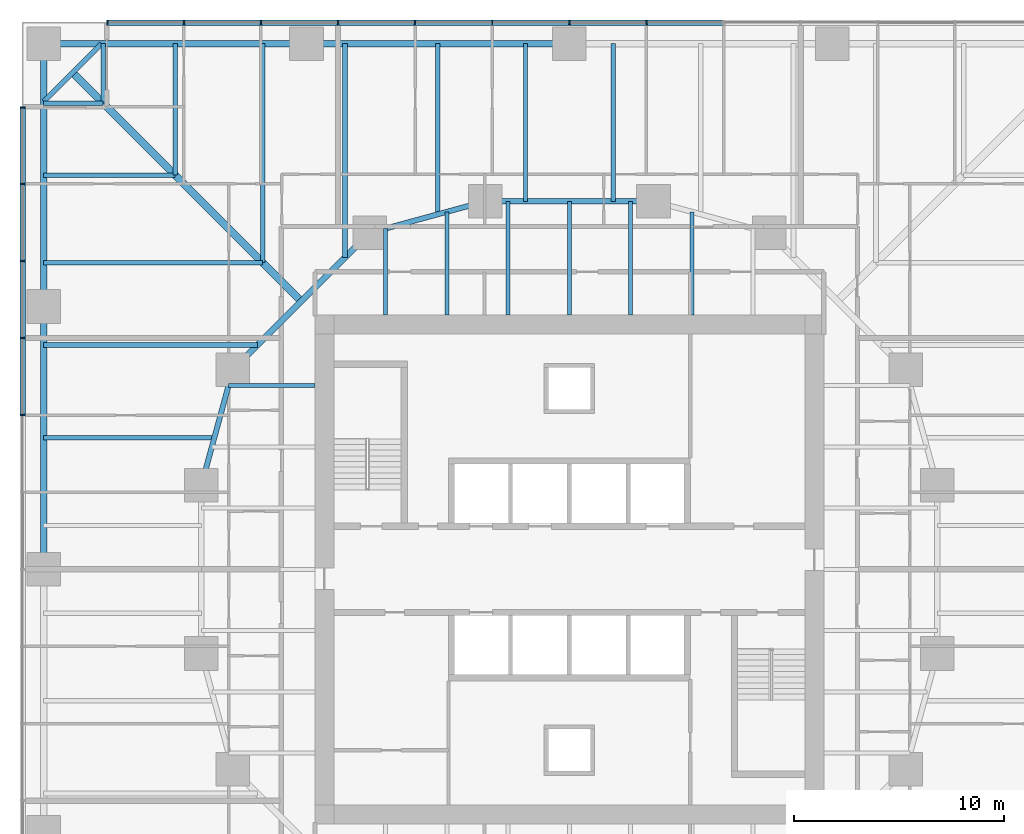
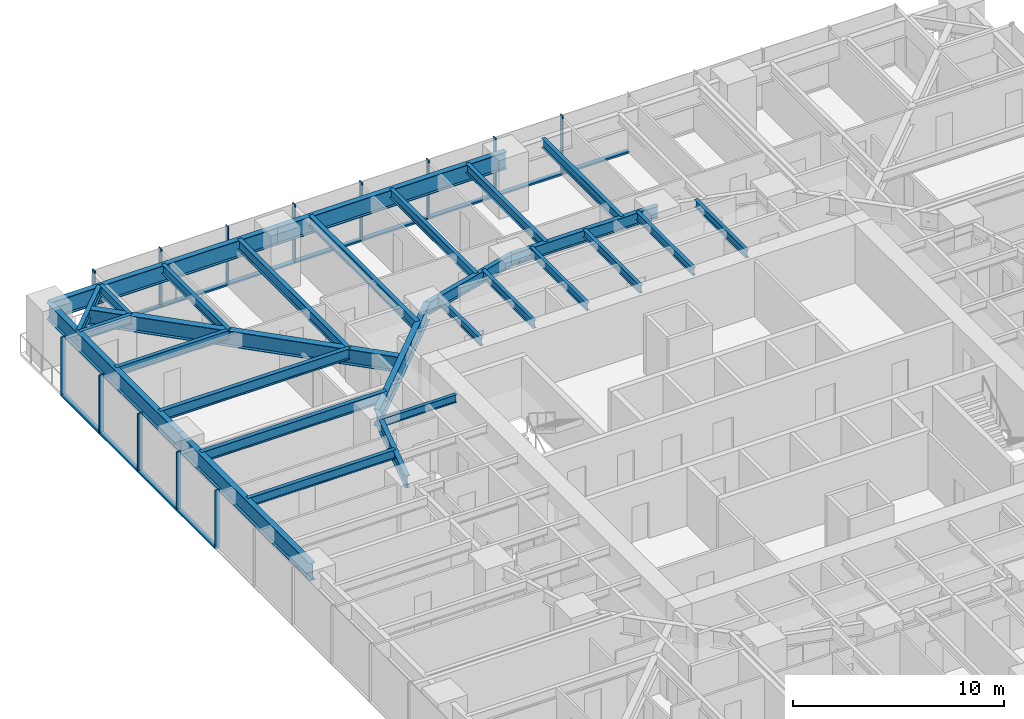
# One storey, part 5 of 14: 29 beams, 25 members, 2 elements without a shape of their own.
"""IFC4 building model written with IfcOpenShell, lengths in metres."""

from ifc_helpers import new_model, si_unit, direction, frame, origin, origin_2d, place, context, subcontext, project, spatial, rectangle, i_section, extrude, material, material_profile, profile_set, type_object, element, aggregate, save


model = new_model("IFC4")

# Units and contexts
model_context = context("Model", 3, precision=1e-05, world=origin(), true_north=direction((0.0, 1.0)))
body_context = subcontext(model_context, "Body", "Model", "MODEL_VIEW")
ifc_project = project(units=[si_unit("LENGTHUNIT", "METRE"), si_unit("AREAUNIT", "SQUARE_METRE"), si_unit("VOLUMEUNIT", "CUBIC_METRE"), si_unit("PLANEANGLEUNIT", "RADIAN"), si_unit("MASSUNIT", "GRAM", prefix="KILO")], contexts=[model_context])

# Site, building, storey
site_placement = place(None, origin())
site = spatial("IfcSite", under=ifc_project, at=site_placement, CompositionType="ELEMENT")
building_placement = place(site_placement, origin())
building = spatial("IfcBuilding", under=site, at=building_placement, Name="Torsade Residences", CompositionType="ELEMENT")
storey_placement = place(building_placement, frame((0.0, 0.0, 32.0)))
storey = spatial("IfcBuildingStorey", under=building, at=storey_placement, Name="L08", CompositionType="ELEMENT", Elevation=32.0)

# Beams
ifc_material_1 = material(Name="Steel grade 300", Category="steel")
ifc_material_profile_1 = material_profile(ifc_material_1, i_section(OverallWidth=0.35009765625, OverallDepth=0.909912109375, WebThickness=0.011962890625, FlangeThickness=0.02490234375, at=origin_2d()), Name="900WB218")
ifc_profile_set_1 = profile_set([ifc_material_profile_1], Name="Steel grade 300")
beam_type_1 = type_object("IfcBeamType", Name="CORNER GIRDER 900WB218", PredefinedType="BEAM", material=ifc_profile_set_1)
beam_1_placement = place(storey_placement, frame((16.375, 53.625, 2.794921875), z_axis=(0.707106781187, -0.707106781187, 0.0), x_axis=(0.707106781187, 0.707106781187, 0.0)))
element("IfcBeam", 1, at=beam_1_placement, inside=storey, type_object=beam_type_1, Name="Corner girder 13 L09", PredefinedType="BEAM", context=body_context, shape_type="SweptSolid", body=[
    extrude(i_section(OverallWidth=0.35009765625, OverallDepth=0.909912109375, WebThickness=0.011962890625, FlangeThickness=0.02490234375, at=origin_2d()), origin(), (0.0, 0.0, 1.0), 15.379638671875),
])
ifc_material_2 = material(Name="Steel grade 300", Category="steel")
ifc_material_profile_2 = material_profile(ifc_material_2, i_section(OverallWidth=0.22802734375, OverallDepth=0.60205078125, WebThickness=0.010498046875, FlangeThickness=0.014892578125, FilletRadius=0.013916015625, at=origin_2d()), Name="610UB101")
ifc_profile_set_2 = profile_set([ifc_material_profile_2], Name="Steel grade 300")
beam_type_2 = type_object("IfcBeamType", Name="CORNER TRIMMER 610UB101", PredefinedType="BEAM", material=ifc_profile_set_2)
beam_2_placement = place(storey_placement, frame((15.0, 52.25, 2.948974609375), z_axis=(0.707106781187, 0.707106781187, 0.0), x_axis=(-0.707106781187, 0.707106781187, 0.0)))
element("IfcBeam", 2, at=beam_2_placement, inside=storey, type_object=beam_type_2, Name="Corner trimmer 13 L09", PredefinedType="BEAM", context=body_context, shape_type="SweptSolid", body=[
    extrude(i_section(OverallWidth=0.22802734375, OverallDepth=0.60205078125, WebThickness=0.010498046875, FlangeThickness=0.014892578125, FilletRadius=0.013916015625, at=origin_2d()), origin(), (0.0, 0.0, 1.0), 3.88916015625),
])

# Curtain wall, members
ifc_material_3 = material(Name="Aluminium and glass", Category="aluminium")
curtain_wall_type = type_object("IfcCurtainWallType", Name="FRITTED GLASS CURTAIN WALL LOW ZONE", PredefinedType="NOTDEFINED", material=ifc_material_3)
curtain_wall_1_placement = place(storey_placement, origin())
curtain_wall_1 = element("IfcCurtainWall", 3, at=curtain_wall_1_placement, inside=storey, type_object=curtain_wall_type, Name="Curtain wall L08 face 7", PredefinedType="NOTDEFINED")
ifc_material_4 = material(Name="Aluminium mullion", Category="aluminium")
ifc_material_profile_3 = material_profile(ifc_material_4, rectangle(XDim=0.25, YDim=0.06494140625, at=origin_2d()), Name="CURTAIN WALL MULLION 250x65")
ifc_profile_set_3 = profile_set([ifc_material_profile_3], Name="Aluminium mullion")
member_type_1 = type_object("IfcMemberType", Name="CURTAIN WALL MULLION 250x65", PredefinedType="MULLION", material=ifc_profile_set_3)
member_1_placement = place(storey_placement, frame((43.666748046875, 56.0, 0.0), z_axis=(0.0, 0.0, 1.0), x_axis=(0.0, -1.0, 0.0)))
member_1 = element("IfcMember", 4, at=member_1_placement, type_object=member_type_1, Name="Mullion 6", PredefinedType="MULLION", context=body_context, shape_type="SweptSolid", body=[
    extrude(rectangle(XDim=0.25, YDim=0.06494140625, at=origin_2d()), origin(), (0.0, 0.0, 1.0), 3.39990234375),
])
member_2_placement = place(storey_placement, frame((40.0, 56.0, 0.0), z_axis=(0.0, 0.0, 1.0), x_axis=(0.0, -1.0, 0.0)))
member_2 = element("IfcMember", 5, at=member_2_placement, type_object=member_type_1, Name="Mullion 7", PredefinedType="MULLION", context=body_context, shape_type="SweptSolid", body=[
    extrude(rectangle(XDim=0.25, YDim=0.06494140625, at=origin_2d()), origin(), (0.0, 0.0, 1.0), 3.39990234375),
])
member_3_placement = place(storey_placement, frame((36.333251953125, 56.0, 0.0), z_axis=(0.0, 0.0, 1.0), x_axis=(0.0, -1.0, 0.0)))
member_3 = element("IfcMember", 6, at=member_3_placement, type_object=member_type_1, Name="Mullion 8", PredefinedType="MULLION", context=body_context, shape_type="SweptSolid", body=[
    extrude(rectangle(XDim=0.25, YDim=0.06494140625, at=origin_2d()), origin(), (0.0, 0.0, 1.0), 3.39990234375),
])
member_4_placement = place(storey_placement, frame((32.666748046875, 56.0, 0.0), z_axis=(0.0, 0.0, 1.0), x_axis=(0.0, -1.0, 0.0)))
member_4 = element("IfcMember", 7, at=member_4_placement, type_object=member_type_1, Name="Mullion 9", PredefinedType="MULLION", context=body_context, shape_type="SweptSolid", body=[
    extrude(rectangle(XDim=0.25, YDim=0.06494140625, at=origin_2d()), origin(), (0.0, 0.0, 1.0), 3.39990234375),
])
member_5_placement = place(storey_placement, frame((29.0, 56.0, 0.0), z_axis=(0.0, 0.0, 1.0), x_axis=(0.0, -1.0, 0.0)))
member_5 = element("IfcMember", 8, at=member_5_placement, type_object=member_type_1, Name="Mullion 10", PredefinedType="MULLION", context=body_context, shape_type="SweptSolid", body=[
    extrude(rectangle(XDim=0.25, YDim=0.06494140625, at=origin_2d()), origin(), (0.0, 0.0, 1.0), 3.39990234375),
])
member_6_placement = place(storey_placement, frame((25.333251953125, 56.0, 0.0), z_axis=(0.0, 0.0, 1.0), x_axis=(0.0, -1.0, 0.0)))
member_6 = element("IfcMember", 9, at=member_6_placement, type_object=member_type_1, Name="Mullion 11", PredefinedType="MULLION", context=body_context, shape_type="SweptSolid", body=[
    extrude(rectangle(XDim=0.25, YDim=0.06494140625, at=origin_2d()), origin(), (0.0, 0.0, 1.0), 3.39990234375),
])
member_7_placement = place(storey_placement, frame((21.666748046875, 56.0, 0.0), z_axis=(0.0, 0.0, 1.0), x_axis=(0.0, -1.0, 0.0)))
member_7 = element("IfcMember", 10, at=member_7_placement, type_object=member_type_1, Name="Mullion 12", PredefinedType="MULLION", context=body_context, shape_type="SweptSolid", body=[
    extrude(rectangle(XDim=0.25, YDim=0.06494140625, at=origin_2d()), origin(), (0.0, 0.0, 1.0), 3.39990234375),
])
member_8_placement = place(storey_placement, frame((18.032470703125, 56.0, 0.0), z_axis=(0.0, 0.0, 1.0), x_axis=(0.0, -1.0, 0.0)))
member_8 = element("IfcMember", 11, at=member_8_placement, type_object=member_type_1, Name="Mullion 13", PredefinedType="MULLION", context=body_context, shape_type="SweptSolid", body=[
    extrude(rectangle(XDim=0.25, YDim=0.06494140625, at=origin_2d()), origin(), (0.0, 0.0, 1.0), 3.39990234375),
])

curtain_wall_2_placement = place(storey_placement, origin())
curtain_wall_2 = element("IfcCurtainWall", 12, at=curtain_wall_2_placement, inside=storey, type_object=curtain_wall_type, Name="Curtain wall L08 face 10", PredefinedType="NOTDEFINED")
member_9_placement = place(storey_placement, frame((14.0, 51.967529296875, 0.0), z_axis=(0.0, 0.0, 1.0), x_axis=(1.0, 0.0, 0.0)))
member_9 = element("IfcMember", 13, at=member_9_placement, type_object=member_type_1, Name="Mullion 1", PredefinedType="MULLION", context=body_context, shape_type="SweptSolid", body=[
    extrude(rectangle(XDim=0.25, YDim=0.06494140625, at=origin_2d()), origin(), (0.0, 0.0, 1.0), 3.39990234375),
])
member_10_placement = place(storey_placement, frame((14.0, 48.333251953125, 0.0), z_axis=(0.0, 0.0, 1.0), x_axis=(1.0, 0.0, 0.0)))
member_10 = element("IfcMember", 14, at=member_10_placement, type_object=member_type_1, Name="Mullion 2", PredefinedType="MULLION", context=body_context, shape_type="SweptSolid", body=[
    extrude(rectangle(XDim=0.25, YDim=0.06494140625, at=origin_2d()), origin(), (0.0, 0.0, 1.0), 3.39990234375),
])
member_11_placement = place(storey_placement, frame((14.0, 44.666748046875, 0.0), z_axis=(0.0, 0.0, 1.0), x_axis=(1.0, 0.0, 0.0)))
member_11 = element("IfcMember", 15, at=member_11_placement, type_object=member_type_1, Name="Mullion 3", PredefinedType="MULLION", context=body_context, shape_type="SweptSolid", body=[
    extrude(rectangle(XDim=0.25, YDim=0.06494140625, at=origin_2d()), origin(), (0.0, 0.0, 1.0), 3.39990234375),
])
member_12_placement = place(storey_placement, frame((14.0, 41.0, 0.0), z_axis=(0.0, 0.0, 1.0), x_axis=(1.0, 0.0, 0.0)))
member_12 = element("IfcMember", 16, at=member_12_placement, type_object=member_type_1, Name="Mullion 4", PredefinedType="MULLION", context=body_context, shape_type="SweptSolid", body=[
    extrude(rectangle(XDim=0.25, YDim=0.06494140625, at=origin_2d()), origin(), (0.0, 0.0, 1.0), 3.39990234375),
])
member_13_placement = place(storey_placement, frame((14.0, 37.333251953125, 0.0), z_axis=(0.0, 0.0, 1.0), x_axis=(1.0, 0.0, 0.0)))
member_13 = element("IfcMember", 17, at=member_13_placement, type_object=member_type_1, Name="Mullion 5", PredefinedType="MULLION", context=body_context, shape_type="SweptSolid", body=[
    extrude(rectangle(XDim=0.25, YDim=0.06494140625, at=origin_2d()), origin(), (0.0, 0.0, 1.0), 3.39990234375),
])

# Member
ifc_material_5 = material(Name="Aluminium transom", Category="aluminium")
ifc_material_profile_4 = material_profile(ifc_material_5, rectangle(XDim=0.25, YDim=0.10009765625, at=origin_2d()), Name="CURTAIN WALL TRANSOM 250x100")
ifc_profile_set_4 = profile_set([ifc_material_profile_4], Name="Aluminium transom")
member_type_2 = type_object("IfcMemberType", Name="CURTAIN WALL TRANSOM 250x100", PredefinedType="USERDEFINED", material=ifc_profile_set_4)
member_14_placement = place(storey_placement, frame((47.30078125, 56.0, 0.050048828125), z_axis=(-1.0, 0.0, 0.0), x_axis=(0.0, -1.0, 0.0)))
member_14 = element("IfcMember", 18, at=member_14_placement, type_object=member_type_2, Name="Transom 5.1", ObjectType="TRANSOM", PredefinedType="USERDEFINED", context=body_context, shape_type="SweptSolid", body=[
    extrude(rectangle(XDim=0.25, YDim=0.10009765625, at=origin_2d()), origin(), (0.0, 0.0, 1.0), 3.6015625),
])

member_15_placement = place(storey_placement, frame((43.63427734375, 56.0, 0.050048828125), z_axis=(-1.0, 0.0, 0.0), x_axis=(0.0, -1.0, 0.0)))
member_15 = element("IfcMember", 19, at=member_15_placement, type_object=member_type_2, Name="Transom 6.1", ObjectType="TRANSOM", PredefinedType="USERDEFINED", context=body_context, shape_type="SweptSolid", body=[
    extrude(rectangle(XDim=0.25, YDim=0.10009765625, at=origin_2d()), origin(), (0.0, 0.0, 1.0), 3.601806640625),
])

member_16_placement = place(storey_placement, frame((39.967529296875, 56.0, 0.050048828125), z_axis=(-1.0, 0.0, 0.0), x_axis=(0.0, -1.0, 0.0)))
member_16 = element("IfcMember", 20, at=member_16_placement, type_object=member_type_2, Name="Transom 7.1", ObjectType="TRANSOM", PredefinedType="USERDEFINED", context=body_context, shape_type="SweptSolid", body=[
    extrude(rectangle(XDim=0.25, YDim=0.10009765625, at=origin_2d()), origin(), (0.0, 0.0, 1.0), 3.601806640625),
])

member_17_placement = place(storey_placement, frame((36.30078125, 56.0, 0.050048828125), z_axis=(-1.0, 0.0, 0.0), x_axis=(0.0, -1.0, 0.0)))
member_17 = element("IfcMember", 21, at=member_17_placement, type_object=member_type_2, Name="Transom 8.1", ObjectType="TRANSOM", PredefinedType="USERDEFINED", context=body_context, shape_type="SweptSolid", body=[
    extrude(rectangle(XDim=0.25, YDim=0.10009765625, at=origin_2d()), origin(), (0.0, 0.0, 1.0), 3.6015625),
])

member_18_placement = place(storey_placement, frame((32.63427734375, 56.0, 0.050048828125), z_axis=(-1.0, 0.0, 0.0), x_axis=(0.0, -1.0, 0.0)))
member_18 = element("IfcMember", 22, at=member_18_placement, type_object=member_type_2, Name="Transom 9.1", ObjectType="TRANSOM", PredefinedType="USERDEFINED", context=body_context, shape_type="SweptSolid", body=[
    extrude(rectangle(XDim=0.25, YDim=0.10009765625, at=origin_2d()), origin(), (0.0, 0.0, 1.0), 3.601806640625),
])

member_19_placement = place(storey_placement, frame((28.967529296875, 56.0, 0.050048828125), z_axis=(-1.0, 0.0, 0.0), x_axis=(0.0, -1.0, 0.0)))
member_19 = element("IfcMember", 23, at=member_19_placement, type_object=member_type_2, Name="Transom 10.1", ObjectType="TRANSOM", PredefinedType="USERDEFINED", context=body_context, shape_type="SweptSolid", body=[
    extrude(rectangle(XDim=0.25, YDim=0.10009765625, at=origin_2d()), origin(), (0.0, 0.0, 1.0), 3.601806640625),
])

member_20_placement = place(storey_placement, frame((25.30078125, 56.0, 0.050048828125), z_axis=(-1.0, 0.0, 0.0), x_axis=(0.0, -1.0, 0.0)))
member_20 = element("IfcMember", 24, at=member_20_placement, type_object=member_type_2, Name="Transom 11.1", ObjectType="TRANSOM", PredefinedType="USERDEFINED", context=body_context, shape_type="SweptSolid", body=[
    extrude(rectangle(XDim=0.25, YDim=0.10009765625, at=origin_2d()), origin(), (0.0, 0.0, 1.0), 3.6015625),
])

member_21_placement = place(storey_placement, frame((21.63427734375, 56.0, 0.050048828125), z_axis=(-1.0, 0.0, 0.0), x_axis=(0.0, -1.0, 0.0)))
member_21 = element("IfcMember", 25, at=member_21_placement, type_object=member_type_2, Name="Transom 12.1", ObjectType="TRANSOM", PredefinedType="USERDEFINED", context=body_context, shape_type="SweptSolid", body=[
    extrude(rectangle(XDim=0.25, YDim=0.10009765625, at=origin_2d()), origin(), (0.0, 0.0, 1.0), 3.5693359375),
])

aggregate(curtain_wall_1, [member_1, member_2, member_3, member_4, member_5, member_6, member_7, member_8, member_14, member_15, member_16, member_17, member_18, member_19, member_20, member_21])

member_22_placement = place(storey_placement, frame((14.0, 51.93505859375, 0.050048828125), z_axis=(0.0, -1.0, 0.0), x_axis=(1.0, 0.0, 0.0)))
member_22 = element("IfcMember", 26, at=member_22_placement, type_object=member_type_2, Name="Transom 1.1", ObjectType="TRANSOM", PredefinedType="USERDEFINED", context=body_context, shape_type="SweptSolid", body=[
    extrude(rectangle(XDim=0.25, YDim=0.10009765625, at=origin_2d()), origin(), (0.0, 0.0, 1.0), 3.5693359375),
])

member_23_placement = place(storey_placement, frame((14.0, 48.30078125, 0.050048828125), z_axis=(0.0, -1.0, 0.0), x_axis=(1.0, 0.0, 0.0)))
member_23 = element("IfcMember", 27, at=member_23_placement, type_object=member_type_2, Name="Transom 2.1", ObjectType="TRANSOM", PredefinedType="USERDEFINED", context=body_context, shape_type="SweptSolid", body=[
    extrude(rectangle(XDim=0.25, YDim=0.10009765625, at=origin_2d()), origin(), (0.0, 0.0, 1.0), 3.6015625),
])

member_24_placement = place(storey_placement, frame((14.0, 44.63427734375, 0.050048828125), z_axis=(0.0, -1.0, 0.0), x_axis=(1.0, 0.0, 0.0)))
member_24 = element("IfcMember", 28, at=member_24_placement, type_object=member_type_2, Name="Transom 3.1", ObjectType="TRANSOM", PredefinedType="USERDEFINED", context=body_context, shape_type="SweptSolid", body=[
    extrude(rectangle(XDim=0.25, YDim=0.10009765625, at=origin_2d()), origin(), (0.0, 0.0, 1.0), 3.601806640625),
])

member_25_placement = place(storey_placement, frame((14.0, 40.967529296875, 0.050048828125), z_axis=(0.0, -1.0, 0.0), x_axis=(1.0, 0.0, 0.0)))
member_25 = element("IfcMember", 29, at=member_25_placement, type_object=member_type_2, Name="Transom 4.1", ObjectType="TRANSOM", PredefinedType="USERDEFINED", context=body_context, shape_type="SweptSolid", body=[
    extrude(rectangle(XDim=0.25, YDim=0.10009765625, at=origin_2d()), origin(), (0.0, 0.0, 1.0), 3.601806640625),
])

aggregate(curtain_wall_2, [member_9, member_10, member_11, member_12, member_13, member_22, member_23, member_24, member_25])

# Beams
ifc_material_6 = material(Name="Steel grade 300", Category="steel")
ifc_material_profile_5 = material_profile(ifc_material_6, i_section(OverallWidth=0.300048828125, OverallDepth=1.0, WebThickness=0.01611328125, FlangeThickness=0.028076171875, at=origin_2d()), Name="1000WB215")
ifc_profile_set_5 = profile_set([ifc_material_profile_5], Name="Steel grade 300")
beam_type_3 = type_object("IfcBeamType", Name="EDGE BEAM 1000WB215", PredefinedType="SPANDREL", material=ifc_profile_set_5)
for number, where, z_axis, x_axis, name in (
    (30, (40.0, 55.0, 2.75), (-1.0, 0.0, 0.0), (0.0, -1.0, 0.0), "Edge beam 11 L09"),
    (31, (27.5, 55.0, 2.75), (-1.0, 0.0, 0.0), (0.0, -1.0, 0.0), "Edge beam 12 L09"),
    (32, (15.0, 55.0, 2.75), (0.0, -1.0, 0.0), (1.0, 0.0, 0.0), "Edge beam 13 L09"),
    (33, (15.0, 42.5, 2.75), (0.0, -1.0, 0.0), (1.0, 0.0, 0.0), "Edge beam 14 L09"),
):
    element("IfcBeam", number, at=place(storey_placement, frame(where, z_axis=z_axis, x_axis=x_axis)), inside=storey, type_object=beam_type_3, Name=name, PredefinedType="SPANDREL", context=body_context, shape_type="SweptSolid", body=[
        extrude(i_section(OverallWidth=0.300048828125, OverallDepth=1.0, WebThickness=0.01611328125, FlangeThickness=0.028076171875, at=origin_2d()), origin(), (0.0, 0.0, 1.0), 12.5),
    ])
ifc_material_7 = material(Name="Steel grade 300", Category="steel")
ifc_material_profile_6 = material_profile(ifc_material_7, i_section(OverallWidth=0.18994140625, OverallDepth=0.4541015625, WebThickness=0.008544921875, FlangeThickness=0.0126953125, FilletRadius=0.011474609375, at=origin_2d()), Name="460UB67.1")
ifc_profile_set_6 = profile_set([ifc_material_profile_6], Name="Steel grade 300")
beam_type_4 = type_object("IfcBeamType", Name="INNER FLOOR BEAM 460UB67.1", PredefinedType="JOIST", material=ifc_profile_set_6)
beam_3_placement = place(storey_placement, frame((31.262451171875, 42.10009765625, 3.02294921875), z_axis=(0.0, 1.0, 0.0), x_axis=(-1.0, 0.0, 0.0)))
element("IfcBeam", 34, at=beam_3_placement, inside=storey, type_object=beam_type_4, Name="Inner floor beam IN01 L09", PredefinedType="JOIST", context=body_context, shape_type="SweptSolid", body=[
    extrude(i_section(OverallWidth=0.18994140625, OverallDepth=0.4541015625, WebThickness=0.008544921875, FlangeThickness=0.0126953125, FilletRadius=0.011474609375, at=origin_2d()), origin(), (0.0, 0.0, 1.0), 4.10791015625),
])
beam_4_placement = place(storey_placement, frame((34.175048828125, 42.10009765625, 3.02294921875), z_axis=(0.0, 1.0, 0.0), x_axis=(-1.0, 0.0, 0.0)))
element("IfcBeam", 35, at=beam_4_placement, inside=storey, type_object=beam_type_4, Name="Inner floor beam IN02 L09", PredefinedType="JOIST", context=body_context, shape_type="SweptSolid", body=[
    extrude(i_section(OverallWidth=0.18994140625, OverallDepth=0.4541015625, WebThickness=0.008544921875, FlangeThickness=0.0126953125, FilletRadius=0.011474609375, at=origin_2d()), origin(), (0.0, 0.0, 1.0), 4.902099609375),
])
for number, where, z_axis, x_axis, name in (
    (36, (37.08740234375, 42.10009765625, 3.02294921875), (0.0, 1.0, 0.0), (-1.0, 0.0, 0.0), "Inner floor beam IN03 L09"),
    (37, (40.0, 42.10009765625, 3.02294921875), (0.0, 1.0, 0.0), (-1.0, 0.0, 0.0), "Inner floor beam IN04 L09"),
    (38, (42.91259765625, 42.10009765625, 3.02294921875), (0.0, 1.0, 0.0), (-1.0, 0.0, 0.0), "Inner floor beam IN05 L09"),
):
    element("IfcBeam", number, at=place(storey_placement, frame(where, z_axis=z_axis, x_axis=x_axis)), inside=storey, type_object=beam_type_4, Name=name, PredefinedType="JOIST", context=body_context, shape_type="SweptSolid", body=[
        extrude(i_section(OverallWidth=0.18994140625, OverallDepth=0.4541015625, WebThickness=0.008544921875, FlangeThickness=0.0126953125, FilletRadius=0.011474609375, at=origin_2d()), origin(), (0.0, 0.0, 1.0), 5.39990234375),
    ])
beam_5_placement = place(storey_placement, frame((45.824951171875, 42.10009765625, 3.02294921875), z_axis=(0.0, 1.0, 0.0), x_axis=(-1.0, 0.0, 0.0)))
element("IfcBeam", 39, at=beam_5_placement, inside=storey, type_object=beam_type_4, Name="Inner floor beam IN06 L09", PredefinedType="JOIST", context=body_context, shape_type="SweptSolid", body=[
    extrude(i_section(OverallWidth=0.18994140625, OverallDepth=0.4541015625, WebThickness=0.008544921875, FlangeThickness=0.0126953125, FilletRadius=0.011474609375, at=origin_2d()), origin(), (0.0, 0.0, 1.0), 4.902099609375),
])
beam_6_placement = place(storey_placement, frame((27.89990234375, 38.737548828125, 3.02294921875), z_axis=(-1.0, 0.0, 0.0), x_axis=(0.0, -1.0, 0.0)))
element("IfcBeam", 40, at=beam_6_placement, inside=storey, type_object=beam_type_4, Name="Inner floor beam IW01 L09", PredefinedType="JOIST", context=body_context, shape_type="SweptSolid", body=[
    extrude(i_section(OverallWidth=0.18994140625, OverallDepth=0.4541015625, WebThickness=0.008544921875, FlangeThickness=0.0126953125, FilletRadius=0.011474609375, at=origin_2d()), origin(), (0.0, 0.0, 1.0), 4.10791015625),
])
ifc_material_8 = material(Name="Steel grade 300", Category="steel")
ifc_material_profile_7 = material_profile(ifc_material_8, i_section(OverallWidth=0.300048828125, OverallDepth=1.0, WebThickness=0.01611328125, FlangeThickness=0.028076171875, at=origin_2d()), Name="1000WB215")
ifc_profile_set_7 = profile_set([ifc_material_profile_7], Name="Steel grade 300")
beam_type_5 = type_object("IfcBeamType", Name="RING CORNER GIRDER 1000WB215", PredefinedType="BEAM", material=ifc_profile_set_7)
beam_7_placement = place(storey_placement, frame((30.5, 46.0, 2.75), z_axis=(-0.707106781187, -0.707106781187, 0.0), x_axis=(0.707106781187, -0.707106781187, 0.0)))
element("IfcBeam", 41, at=beam_7_placement, inside=storey, type_object=beam_type_5, Name="Ring girder IR07 L09", PredefinedType="BEAM", context=body_context, shape_type="SweptSolid", body=[
    extrude(i_section(OverallWidth=0.300048828125, OverallDepth=1.0, WebThickness=0.01611328125, FlangeThickness=0.028076171875, at=origin_2d()), origin(), (0.0, 0.0, 1.0), 9.1923828125),
])
ifc_material_9 = material(Name="Steel grade 300", Category="steel")
ifc_material_profile_8 = material_profile(ifc_material_9, i_section(OverallWidth=0.25, OverallDepth=0.699951171875, WebThickness=0.010009765625, FlangeThickness=0.02001953125, at=origin_2d()), Name="700WB130")
ifc_profile_set_8 = profile_set([ifc_material_profile_8], Name="Steel grade 300")
beam_type_6 = type_object("IfcBeamType", Name="RING GIRDER 700WB130", PredefinedType="BEAM", material=ifc_profile_set_8)
beam_8_placement = place(storey_placement, frame((44.0, 47.5, 2.89990234375), z_axis=(-1.0, 0.0, 0.0), x_axis=(0.0, -1.0, 0.0)))
element("IfcBeam", 42, at=beam_8_placement, inside=storey, type_object=beam_type_6, Name="Ring girder IR05 L09", PredefinedType="BEAM", context=body_context, shape_type="SweptSolid", body=[
    extrude(i_section(OverallWidth=0.25, OverallDepth=0.699951171875, WebThickness=0.010009765625, FlangeThickness=0.02001953125, at=origin_2d()), origin(), (0.0, 0.0, 1.0), 8.0),
])
for number, where, z_axis, x_axis, name in (
    (43, (36.0, 47.5, 2.89990234375), (-0.964763821238, -0.263117405792, 0.0), (0.263117405792, -0.964763821238, 0.0), "Ring girder IR06 L09"),
    (44, (24.0, 39.5, 2.89990234375), (-0.263117405792, -0.964763821238, 0.0), (0.964763821238, -0.263117405792, 0.0), "Ring girder IR08 L09"),
):
    element("IfcBeam", number, at=place(storey_placement, frame(where, z_axis=z_axis, x_axis=x_axis)), inside=storey, type_object=beam_type_6, Name=name, PredefinedType="BEAM", context=body_context, shape_type="SweptSolid", body=[
        extrude(i_section(OverallWidth=0.25, OverallDepth=0.699951171875, WebThickness=0.010009765625, FlangeThickness=0.02001953125, at=origin_2d()), origin(), (0.0, 0.0, 1.0), 5.700927734375),
    ])
ifc_material_10 = material(Name="Steel grade 300", Category="steel")
ifc_material_profile_9 = material_profile(ifc_material_10, i_section(OverallWidth=0.208984375, OverallDepth=0.528076171875, WebThickness=0.009521484375, FlangeThickness=0.01318359375, FilletRadius=0.013916015625, at=origin_2d()), Name="530UB82.0")
ifc_profile_set_9 = profile_set([ifc_material_profile_9], Name="Steel grade 300")
beam_type_7 = type_object("IfcBeamType", Name="SECONDARY BEAM 530UB82.0", PredefinedType="JOIST", material=ifc_profile_set_9)
for number, where, z_axis, x_axis, name in (
    (45, (42.083251953125, 55.0, 2.986083984375), (0.0, -1.0, 0.0), (1.0, 0.0, 0.0), "Floor beam FN06 L09"),
    (46, (37.916748046875, 55.0, 2.986083984375), (0.0, -1.0, 0.0), (1.0, 0.0, 0.0), "Floor beam FN07 L09"),
):
    element("IfcBeam", number, at=place(storey_placement, frame(where, z_axis=z_axis, x_axis=x_axis)), inside=storey, type_object=beam_type_7, Name=name, PredefinedType="JOIST", context=body_context, shape_type="SweptSolid", body=[
        extrude(i_section(OverallWidth=0.208984375, OverallDepth=0.528076171875, WebThickness=0.009521484375, FlangeThickness=0.01318359375, FilletRadius=0.013916015625, at=origin_2d()), origin(), (0.0, 0.0, 1.0), 7.5),
    ])
beam_9_placement = place(storey_placement, frame((33.75, 55.0, 2.986083984375), z_axis=(0.0, -1.0, 0.0), x_axis=(1.0, 0.0, 0.0)))
element("IfcBeam", 47, at=beam_9_placement, inside=storey, type_object=beam_type_7, Name="Floor beam FN08 L09", PredefinedType="JOIST", context=body_context, shape_type="SweptSolid", body=[
    extrude(i_section(OverallWidth=0.208984375, OverallDepth=0.528076171875, WebThickness=0.009521484375, FlangeThickness=0.01318359375, FilletRadius=0.013916015625, at=origin_2d()), origin(), (0.0, 0.0, 1.0), 8.113525390625),
])
beam_10_placement = place(storey_placement, frame((21.25, 55.0, 2.986083984375), z_axis=(0.0, -1.0, 0.0), x_axis=(1.0, 0.0, 0.0)))
element("IfcBeam", 48, at=beam_10_placement, inside=storey, type_object=beam_type_7, Name="Floor beam FN11 L09", PredefinedType="JOIST", context=body_context, shape_type="SweptSolid", body=[
    extrude(i_section(OverallWidth=0.208984375, OverallDepth=0.528076171875, WebThickness=0.009521484375, FlangeThickness=0.01318359375, FilletRadius=0.013916015625, at=origin_2d()), origin(), (0.0, 0.0, 1.0), 6.25),
])
for number, where, z_axis, x_axis, name in (
    (49, (17.833251953125, 55.0, 2.986083984375), (0.0, -1.0, 0.0), (1.0, 0.0, 0.0), "Floor beam FN12 L09"),
    (50, (15.0, 52.166748046875, 2.986083984375), (1.0, 0.0, 0.0), (0.0, 1.0, 0.0), "Floor beam FW01 L09"),
):
    element("IfcBeam", number, at=place(storey_placement, frame(where, z_axis=z_axis, x_axis=x_axis)), inside=storey, type_object=beam_type_7, Name=name, PredefinedType="JOIST", context=body_context, shape_type="SweptSolid", body=[
        extrude(i_section(OverallWidth=0.208984375, OverallDepth=0.528076171875, WebThickness=0.009521484375, FlangeThickness=0.01318359375, FilletRadius=0.013916015625, at=origin_2d()), origin(), (0.0, 0.0, 1.0), 2.833251953125),
    ])
beam_11_placement = place(storey_placement, frame((15.0, 48.75, 2.986083984375), z_axis=(1.0, 0.0, 0.0), x_axis=(0.0, 1.0, 0.0)))
element("IfcBeam", 51, at=beam_11_placement, inside=storey, type_object=beam_type_7, Name="Floor beam FW02 L09", PredefinedType="JOIST", context=body_context, shape_type="SweptSolid", body=[
    extrude(i_section(OverallWidth=0.208984375, OverallDepth=0.528076171875, WebThickness=0.009521484375, FlangeThickness=0.01318359375, FilletRadius=0.013916015625, at=origin_2d()), origin(), (0.0, 0.0, 1.0), 6.25),
])
beam_12_placement = place(storey_placement, frame((15.0, 36.25, 2.986083984375), z_axis=(1.0, 0.0, 0.0), x_axis=(0.0, 1.0, 0.0)))
element("IfcBeam", 52, at=beam_12_placement, inside=storey, type_object=beam_type_7, Name="Floor beam FW05 L09", PredefinedType="JOIST", context=body_context, shape_type="SweptSolid", body=[
    extrude(i_section(OverallWidth=0.208984375, OverallDepth=0.528076171875, WebThickness=0.009521484375, FlangeThickness=0.01318359375, FilletRadius=0.013916015625, at=origin_2d()), origin(), (0.0, 0.0, 1.0), 8.113525390625),
])
ifc_material_11 = material(Name="Steel grade 300", Category="steel")
ifc_material_profile_10 = material_profile(ifc_material_11, i_section(OverallWidth=0.22900390625, OverallDepth=0.612060546875, WebThickness=0.011962890625, FlangeThickness=0.01953125, FilletRadius=0.013916015625, at=origin_2d()), Name="610UB125")
ifc_profile_set_10 = profile_set([ifc_material_profile_10], Name="Steel grade 300")
beam_type_8 = type_object("IfcBeamType", Name="SECONDARY BEAM 610UB125", PredefinedType="JOIST", material=ifc_profile_set_10)
beam_13_placement = place(storey_placement, frame((29.333251953125, 55.0, 2.944091796875), z_axis=(0.0, -1.0, 0.0), x_axis=(1.0, 0.0, 0.0)))
element("IfcBeam", 53, at=beam_13_placement, inside=storey, type_object=beam_type_8, Name="Floor beam FN09 L09", PredefinedType="JOIST", context=body_context, shape_type="SweptSolid", body=[
    extrude(i_section(OverallWidth=0.22900390625, OverallDepth=0.612060546875, WebThickness=0.011962890625, FlangeThickness=0.01953125, FilletRadius=0.013916015625, at=origin_2d()), origin(), (0.0, 0.0, 1.0), 10.166748046875),
])
for number, where, z_axis, x_axis, name in (
    (54, (25.416748046875, 55.0, 2.944091796875), (0.0, -1.0, 0.0), (1.0, 0.0, 0.0), "Floor beam FN10 L09"),
    (55, (15.0, 44.583251953125, 2.944091796875), (1.0, 0.0, 0.0), (0.0, 1.0, 0.0), "Floor beam FW03 L09"),
):
    element("IfcBeam", number, at=place(storey_placement, frame(where, z_axis=z_axis, x_axis=x_axis)), inside=storey, type_object=beam_type_8, Name=name, PredefinedType="JOIST", context=body_context, shape_type="SweptSolid", body=[
        extrude(i_section(OverallWidth=0.22900390625, OverallDepth=0.612060546875, WebThickness=0.011962890625, FlangeThickness=0.01953125, FilletRadius=0.013916015625, at=origin_2d()), origin(), (0.0, 0.0, 1.0), 10.416748046875),
    ])
beam_14_placement = place(storey_placement, frame((15.0, 40.666748046875, 2.944091796875), z_axis=(1.0, 0.0, 0.0), x_axis=(0.0, 1.0, 0.0)))
element("IfcBeam", 56, at=beam_14_placement, inside=storey, type_object=beam_type_8, Name="Floor beam FW04 L09", PredefinedType="JOIST", context=body_context, shape_type="SweptSolid", body=[
    extrude(i_section(OverallWidth=0.22900390625, OverallDepth=0.612060546875, WebThickness=0.011962890625, FlangeThickness=0.01953125, FilletRadius=0.013916015625, at=origin_2d()), origin(), (0.0, 0.0, 1.0), 10.166748046875),
])

save(model, "model.ifc")
